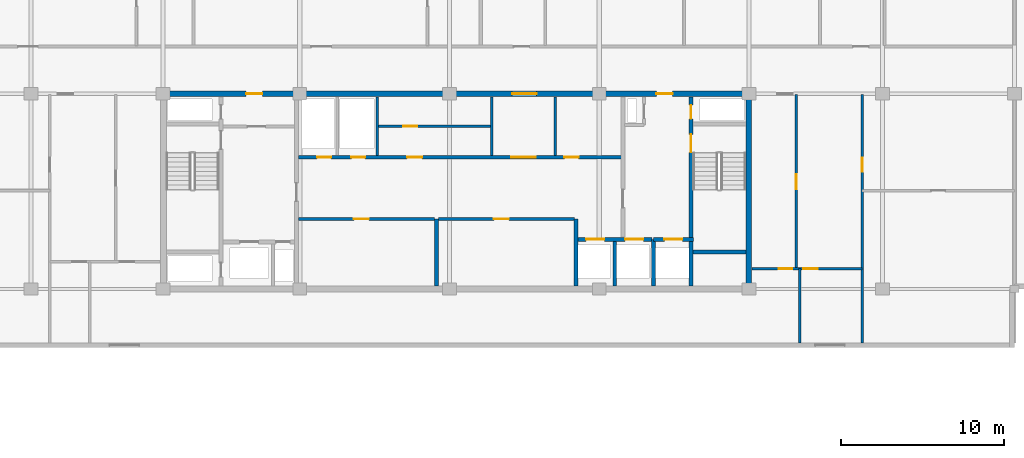
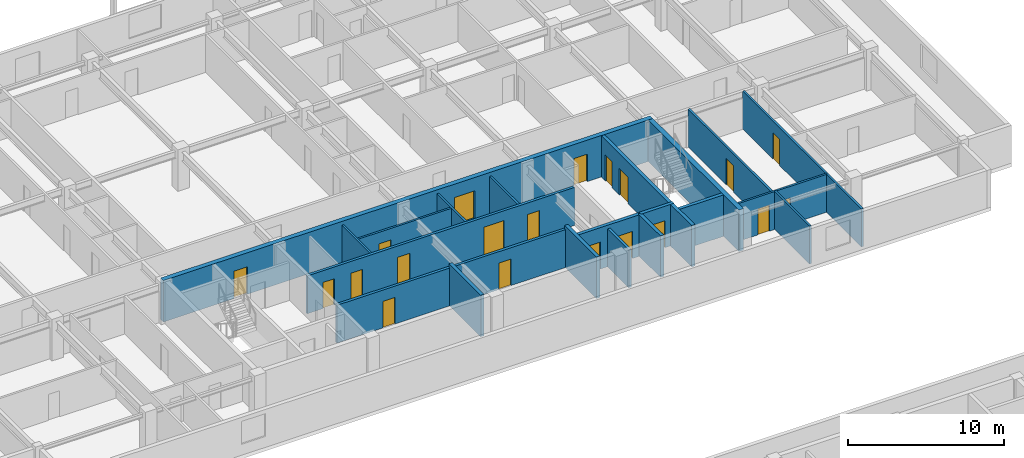
# One storey, part 12 of 22: 21 walls, 20 doors, 20 openings.
"""IFC4 building model written with IfcOpenShell, lengths in metres."""

from ifc_helpers import new_model, si_unit, direction, frame, frame_2d, origin, place, context, subcontext, project, spatial, rectangle, extrude, material, layer, layer_set, type_object, element, fill, save


model = new_model("IFC4")

# Units and contexts
model_context = context("Model", 3, precision=1e-05, world=origin(), true_north=direction((0.0, 1.0)))
body_context = subcontext(model_context, "Body", "Model", "MODEL_VIEW")
ifc_project = project(units=[si_unit("LENGTHUNIT", "METRE"), si_unit("AREAUNIT", "SQUARE_METRE"), si_unit("VOLUMEUNIT", "CUBIC_METRE"), si_unit("PLANEANGLEUNIT", "RADIAN"), si_unit("MASSUNIT", "GRAM", prefix="KILO")], contexts=[model_context])

# Site, building, storey
site_placement = place(None, origin())
site = spatial("IfcSite", under=ifc_project, at=site_placement, CompositionType="ELEMENT")
building_placement = place(site_placement, origin())
building = spatial("IfcBuilding", under=site, at=building_placement, Name="Korimba Cascade Residences", CompositionType="ELEMENT")
storey_placement = place(building_placement, frame((0.0, 0.0, 194.60009765625)))
storey = spatial("IfcBuildingStorey", under=building, at=storey_placement, Name="L56", CompositionType="ELEMENT", Elevation=194.60009765625)

# Wall
ifc_material_1 = material(Name="Concrete C65/80", Category="concrete")
ifc_layer_1 = layer(ifc_material_1, 0.35009765625)
ifc_layer_set_1 = layer_set([ifc_layer_1], Name="Concrete C65/80")
wall_type_1 = type_object("IfcWallType", Name="WAL-CORE-350", PredefinedType="SHEAR", material=ifc_layer_set_1)
wall_1_placement = place(storey_placement, frame((112.074951171875, 55.375, 0.0), z_axis=(0.0, 0.0, 1.0), x_axis=(0.0, 1.0, 0.0)))
element("IfcWall", 1, at=wall_1_placement, inside=storey, type_object=wall_type_1, Name="L56 Core Shear Wall CW-L56-T1-E", PredefinedType="SHEAR", context=body_context, shape_type="SweptSolid", body=[
    extrude(rectangle(XDim=11.64990234375, YDim=0.35009765625, at=frame_2d((5.824951171875, 0.0))), origin(), (0.0, 0.0, 1.0), 3.25),
])

# Wall, openings, doors
wall_2_placement = place(storey_placement, frame((75.949951171875, 67.199951171875, 0.0), z_axis=(0.0, 0.0, 1.0), x_axis=(1.0, 0.0, 0.0)))
wall_2 = element("IfcWall", 2, at=wall_2_placement, inside=storey, type_object=wall_type_1, Name="L56 Core Shear Wall CW-L56-T1-N", PredefinedType="SHEAR", context=body_context, shape_type="SweptSolid", body=[
    extrude(rectangle(XDim=36.300048828125, YDim=0.35009765625, at=frame_2d((18.14990234375, 0.0))), origin(), (0.0, 0.0, 1.0), 3.25),
])
opening_1_placement = place(wall_2_placement, frame((5.25, 0.0, 0.0)))
opening_1 = element("IfcOpeningElement", 3, at=opening_1_placement, cuts=wall_2, Name="Opening D-FD5", PredefinedType="OPENING", context=body_context, shape_type="SweptSolid", body=[
    extrude(rectangle(XDim=1.0, YDim=2.14990234375, at=frame_2d((0.5, 1.074951171875))), frame((0.0, 0.18505859375, 0.0), z_axis=(0.0, -1.0, 0.0), x_axis=(1.0, 0.0, 0.0)), (0.0, 0.0, 1.0), 0.3701171875),
])
opening_2_placement = place(wall_2_placement, frame((21.60009765625, 0.0, 0.0)))
opening_2 = element("IfcOpeningElement", 4, at=opening_2_placement, cuts=wall_2, Name="Opening D-FD8", PredefinedType="OPENING", context=body_context, shape_type="SweptSolid", body=[
    extrude(rectangle(XDim=1.5, YDim=2.199951171875, at=frame_2d((0.75, 1.10009765625))), frame((0.0, 0.18505859375, 0.0), z_axis=(0.0, -1.0, 0.0), x_axis=(1.0, 0.0, 0.0)), (0.0, 0.0, 1.0), 0.3701171875),
])
opening_3_placement = place(wall_2_placement, frame((30.449951171875, 0.0, 0.0)))
opening_3 = element("IfcOpeningElement", 5, at=opening_3_placement, cuts=wall_2, Name="Opening D-FD5", PredefinedType="OPENING", context=body_context, shape_type="SweptSolid", body=[
    extrude(rectangle(XDim=1.0, YDim=2.14990234375, at=frame_2d((0.5, 1.074951171875))), frame((0.0, 0.18505859375, 0.0), z_axis=(0.0, -1.0, 0.0), x_axis=(1.0, 0.0, 0.0)), (0.0, 0.0, 1.0), 0.3701171875),
])
ifc_material_2 = material(Name="Fire-Rated Acoustic Timber Vestibule Door", Category="wood")
door_type_1 = type_object("IfcDoorType", Name="DR-FD90-1000", OperationType="NOTDEFINED", PredefinedType="DOOR", material=ifc_material_2)
door_1_placement = place(opening_1_placement, origin())
door_1 = element("IfcDoor", 6, at=door_1_placement, inside=storey, type_object=door_type_1, Name="L56 T1 West Core Vestibule Fire Door", OperationType="SINGLE_SWING_LEFT", OverallHeight=2.14990234375, OverallWidth=1.0, PredefinedType="DOOR", context=body_context, shape_type="SweptSolid", body=[
    extrude(rectangle(XDim=1.0, YDim=2.14990234375, at=frame_2d((0.5, 1.074951171875))), frame((0.0, 0.02490234375, 0.0), z_axis=(0.0, -1.0, 0.0), x_axis=(1.0, 0.0, 0.0)), (0.0, 0.0, 1.0), 0.050048828125),
])
fill(opening_1, door_1)
door_2_placement = place(opening_3_placement, origin())
door_2 = element("IfcDoor", 7, at=door_2_placement, inside=storey, type_object=door_type_1, Name="L56 T1 East Firefighting Vestibule Fire Door", OperationType="SINGLE_SWING_RIGHT", OverallHeight=2.14990234375, OverallWidth=1.0, PredefinedType="DOOR", context=body_context, shape_type="SweptSolid", body=[
    extrude(rectangle(XDim=1.0, YDim=2.14990234375, at=frame_2d((0.5, 1.074951171875))), frame((0.0, 0.02490234375, 0.0), z_axis=(0.0, -1.0, 0.0), x_axis=(1.0, 0.0, 0.0)), (0.0, 0.0, 1.0), 0.050048828125),
])
fill(opening_3, door_2)
ifc_material_3 = material(Name="Fire-Rated Glazed Lift Lobby Double Door", Category="glass")
door_type_2 = type_object("IfcDoorType", Name="DR-FD90-1500", OperationType="NOTDEFINED", PredefinedType="DOOR", material=ifc_material_3)
door_3_placement = place(opening_2_placement, origin())
door_3 = element("IfcDoor", 8, at=door_3_placement, inside=storey, type_object=door_type_2, Name="L56 T1 Lift Lobby Fire Door", OperationType="DOUBLE_DOOR_SINGLE_SWING", OverallHeight=2.199951171875, OverallWidth=1.5, PredefinedType="DOOR", context=body_context, shape_type="SweptSolid", body=[
    extrude(rectangle(XDim=1.5, YDim=2.199951171875, at=frame_2d((0.75, 1.10009765625))), frame((0.0, 0.02490234375, 0.0), z_axis=(0.0, -1.0, 0.0), x_axis=(1.0, 0.0, 0.0)), (0.0, 0.0, 1.0), 0.050048828125),
])
fill(opening_2, door_3)

# Wall
ifc_material_4 = material(Name="Insulated Acoustic Stud Partition", Category="gypsum")
ifc_layer_2 = layer(ifc_material_4, 0.14990234375)
ifc_layer_set_2 = layer_set([ifc_layer_2], Name="Insulated Acoustic Stud Partition")
wall_type_2 = type_object("IfcWallType", Name="WAL-PART-150", PredefinedType="PARTITIONING", material=ifc_layer_set_2)
wall_3_placement = place(storey_placement, frame((89.25, 63.39990234375, 0.0), z_axis=(0.0, 0.0, 1.0), x_axis=(0.0, 1.0, 0.0)))
element("IfcWall", 9, at=wall_3_placement, inside=storey, type_object=wall_type_2, Name="L56 Partition Wall CW-L56-T1-PRDIV", PredefinedType="PARTITIONING", context=body_context, shape_type="SweptSolid", body=[
    extrude(rectangle(XDim=3.60009765625, YDim=0.14990234375, at=frame_2d((1.800048828125, 0.0))), origin(), (0.0, 0.0, 1.0), 2.969970703125),
])

# Wall, opening, door
wall_4_placement = place(storey_placement, frame((89.25, 65.199951171875, 0.0), z_axis=(0.0, 0.0, 1.0), x_axis=(1.0, 0.0, 0.0)))
wall_4 = element("IfcWall", 10, at=wall_4_placement, inside=storey, type_object=wall_type_2, Name="L56 Partition Wall CW-L56-T1-CA2HZ", PredefinedType="PARTITIONING", context=body_context, shape_type="SweptSolid", body=[
    extrude(rectangle(XDim=7.050048828125, YDim=0.14990234375, at=frame_2d((3.52490234375, 0.0))), origin(), (0.0, 0.0, 1.0), 2.969970703125),
])
opening_4_placement = place(wall_4_placement, frame((1.60009765625, 0.0, 0.0)))
opening_4 = element("IfcOpeningElement", 11, at=opening_4_placement, cuts=wall_4, Name="Opening D-IN2", PredefinedType="OPENING", context=body_context, shape_type="SweptSolid", body=[
    extrude(rectangle(XDim=0.8798828125, YDim=2.06005859375, at=frame_2d((0.43994140625, 1.030029296875))), frame((0.0, 0.0849609375, 0.0), z_axis=(0.0, -1.0, 0.0), x_axis=(1.0, 0.0, 0.0)), (0.0, 0.0, 1.0), 0.169921875),
])
ifc_material_5 = material(Name="Acoustic Timber Bedroom Door", Category="wood")
door_type_3 = type_object("IfcDoorType", Name="DR-INT-880", OperationType="NOTDEFINED", PredefinedType="DOOR", material=ifc_material_5)
door_4_placement = place(opening_4_placement, origin())
door_4 = element("IfcDoor", 12, at=door_4_placement, inside=storey, type_object=door_type_3, Name="L56 Pram Store Door", OperationType="SINGLE_SWING_LEFT", OverallHeight=2.06005859375, OverallWidth=0.8798828125, PredefinedType="DOOR", context=body_context, shape_type="SweptSolid", body=[
    extrude(rectangle(XDim=0.8798828125, YDim=2.06005859375, at=frame_2d((0.43994140625, 1.030029296875))), frame((0.0, 0.02490234375, 0.0), z_axis=(0.0, -1.0, 0.0), x_axis=(1.0, 0.0, 0.0)), (0.0, 0.0, 1.0), 0.050048828125),
])
fill(opening_4, door_4)

# Walls
for number, where, z_axis, x_axis, name in (
    (13, (96.300048828125, 63.39990234375, 0.0), (0.0, 0.0, 1.0), (0.0, 1.0, 0.0), "L56 Partition Wall CW-L56-T1-THW"),
    (14, (100.199951171875, 63.39990234375, 0.0), (0.0, 0.0, 1.0), (0.0, 1.0, 0.0), "L56 Partition Wall CW-L56-T1-THE"),
):
    element("IfcWall", number, at=place(storey_placement, frame(where, z_axis=z_axis, x_axis=x_axis)), inside=storey, type_object=wall_type_2, Name=name, PredefinedType="PARTITIONING", context=body_context, shape_type="SweptSolid", body=[
        extrude(rectangle(XDim=3.60009765625, YDim=0.14990234375, at=frame_2d((1.800048828125, 0.0))), origin(), (0.0, 0.0, 1.0), 2.969970703125),
    ])

# Wall, opening, door
wall_5_placement = place(storey_placement, frame((119.050048828125, 51.89990234375, 0.0), z_axis=(0.0, 0.0, 1.0), x_axis=(0.0, 1.0, 0.0)))
wall_5 = element("IfcWall", 15, at=wall_5_placement, inside=storey, type_object=wall_type_2, Name="L56 Partition Wall WAL-L56-T1-FE-STV", PredefinedType="PARTITIONING", context=body_context, shape_type="SweptSolid", body=[
    extrude(rectangle(XDim=15.25, YDim=0.14990234375, at=frame_2d((7.625, 0.0))), origin(), (0.0, 0.0, 1.0), 2.969970703125),
])
opening_5_placement = place(wall_5_placement, frame((10.5, 0.0, 0.0)))
opening_5 = element("IfcOpeningElement", 16, at=opening_5_placement, cuts=wall_5, Name="Opening D-IN2", PredefinedType="OPENING", context=body_context, shape_type="SweptSolid", body=[
    extrude(rectangle(XDim=0.8798828125, YDim=2.06005859375, at=frame_2d((0.43994140625, 1.030029296875))), frame((0.0, 0.0849609375, 0.0), z_axis=(0.0, -1.0, 0.0), x_axis=(1.0, 0.0, 0.0)), (0.0, 0.0, 1.0), 0.169921875),
])
door_5_placement = place(opening_5_placement, origin())
door_5 = element("IfcDoor", 17, at=door_5_placement, inside=storey, type_object=door_type_3, Name="L56-T1-FE Study Door", OperationType="SINGLE_SWING_LEFT", OverallHeight=2.06005859375, OverallWidth=0.8798828125, PredefinedType="DOOR", context=body_context, shape_type="SweptSolid", body=[
    extrude(rectangle(XDim=0.8798828125, YDim=2.06005859375, at=frame_2d((0.43994140625, 1.030029296875))), frame((0.0, 0.02490234375, 0.0), z_axis=(0.0, -1.0, 0.0), x_axis=(1.0, 0.0, 0.0)), (0.0, 0.0, 1.0), 0.050048828125),
])
fill(opening_5, door_5)

wall_6_placement = place(storey_placement, frame((115.0, 56.449951171875, 0.0), z_axis=(0.0, 0.0, 1.0), x_axis=(0.0, 1.0, 0.0)))
wall_6 = element("IfcWall", 18, at=wall_6_placement, inside=storey, type_object=wall_type_2, Name="L56 Partition Wall WAL-L56-T1-FE-VN", PredefinedType="PARTITIONING", context=body_context, shape_type="SweptSolid", body=[
    extrude(rectangle(XDim=10.699951171875, YDim=0.14990234375, at=frame_2d((5.35009765625, 0.0))), origin(), (0.0, 0.0, 1.0), 2.969970703125),
])
opening_6_placement = place(wall_6_placement, frame((4.889892578125, 0.0, 0.0)))
opening_6 = element("IfcOpeningElement", 19, at=opening_6_placement, cuts=wall_6, Name="Opening D-IN1", PredefinedType="OPENING", context=body_context, shape_type="SweptSolid", body=[
    extrude(rectangle(XDim=0.919921875, YDim=2.080078125, at=frame_2d((0.4599609375, 1.0400390625))), frame((0.0, 0.0849609375, 0.0), z_axis=(0.0, -1.0, 0.0), x_axis=(1.0, 0.0, 0.0)), (0.0, 0.0, 1.0), 0.169921875),
])
ifc_material_6 = material(Name="Acoustic Timber Living Door", Category="wood")
door_type_4 = type_object("IfcDoorType", Name="DR-INT-920", OperationType="NOTDEFINED", PredefinedType="DOOR", material=ifc_material_6)
door_6_placement = place(opening_6_placement, origin())
door_6 = element("IfcDoor", 20, at=door_6_placement, inside=storey, type_object=door_type_4, Name="L56-T1-FE Living Door", OperationType="SINGLE_SWING_RIGHT", OverallHeight=2.080078125, OverallWidth=0.919921875, PredefinedType="DOOR", context=body_context, shape_type="SweptSolid", body=[
    extrude(rectangle(XDim=0.919921875, YDim=2.080078125, at=frame_2d((0.4599609375, 1.0400390625))), frame((0.0, 0.02490234375, 0.0), z_axis=(0.0, -1.0, 0.0), x_axis=(1.0, 0.0, 0.0)), (0.0, 0.0, 1.0), 0.050048828125),
])
fill(opening_6, door_6)

# Wall
wall_7_placement = place(storey_placement, frame((115.199951171875, 51.89990234375, 0.0), z_axis=(0.0, 0.0, 1.0), x_axis=(0.0, 1.0, 0.0)))
element("IfcWall", 21, at=wall_7_placement, inside=storey, type_object=wall_type_2, Name="L56 Partition Wall WAL-L56-T1-FE-VS", PredefinedType="PARTITIONING", context=body_context, shape_type="SweptSolid", body=[
    extrude(rectangle(XDim=4.550048828125, YDim=0.14990234375, at=frame_2d((2.27490234375, 0.0))), origin(), (0.0, 0.0, 1.0), 2.969970703125),
])

# Wall, openings, doors
wall_8_placement = place(storey_placement, frame((112.27001953125, 56.449951171875, 0.0), z_axis=(0.0, 0.0, 1.0), x_axis=(1.0, 0.0, 0.0)))
wall_8 = element("IfcWall", 22, at=wall_8_placement, inside=storey, type_object=wall_type_2, Name="L56 Partition Wall WAL-L56-T1-FE-H", PredefinedType="PARTITIONING", context=body_context, shape_type="SweptSolid", body=[
    extrude(rectangle(XDim=6.760009765625, YDim=0.14990234375, at=frame_2d((3.3798828125, 0.0))), origin(), (0.0, 0.0, 1.0), 2.969970703125),
])
opening_7_placement = place(wall_8_placement, frame((1.6396484375, 0.0, 0.0)))
opening_7 = element("IfcOpeningElement", 23, at=opening_7_placement, cuts=wall_8, Name="Opening D-BT1", PredefinedType="OPENING", context=body_context, shape_type="SweptSolid", body=[
    extrude(rectangle(XDim=0.840087890625, YDim=2.0400390625, at=frame_2d((0.419921875, 1.02001953125))), frame((0.0, 0.0849609375, 0.0), z_axis=(0.0, -1.0, 0.0), x_axis=(1.0, 0.0, 0.0)), (0.0, 0.0, 1.0), 0.169921875),
])
opening_8_placement = place(wall_8_placement, frame((3.160400390625, 0.0, 0.0)))
opening_8 = element("IfcOpeningElement", 24, at=opening_8_placement, cuts=wall_8, Name="Opening D-IN2", PredefinedType="OPENING", context=body_context, shape_type="SweptSolid", body=[
    extrude(rectangle(XDim=0.8798828125, YDim=2.06005859375, at=frame_2d((0.43994140625, 1.030029296875))), frame((0.0, 0.0849609375, 0.0), z_axis=(0.0, -1.0, 0.0), x_axis=(1.0, 0.0, 0.0)), (0.0, 0.0, 1.0), 0.169921875),
])
ifc_material_7 = material(Name="Moisture-Resistant Bathroom Timber Door", Category="wood")
door_type_5 = type_object("IfcDoorType", Name="DR-INT-850", OperationType="NOTDEFINED", PredefinedType="DOOR", material=ifc_material_7)
door_7_placement = place(opening_7_placement, origin())
door_7 = element("IfcDoor", 25, at=door_7_placement, inside=storey, type_object=door_type_5, Name="L56-T1-FE Bathroom Door", OperationType="SINGLE_SWING_LEFT", OverallHeight=2.0400390625, OverallWidth=0.840087890625, PredefinedType="DOOR", context=body_context, shape_type="SweptSolid", body=[
    extrude(rectangle(XDim=0.840087890625, YDim=2.0400390625, at=frame_2d((0.419921875, 1.02001953125))), frame((0.0, 0.02490234375, 0.0), z_axis=(0.0, -1.0, 0.0), x_axis=(1.0, 0.0, 0.0)), (0.0, 0.0, 1.0), 0.050048828125),
])
fill(opening_7, door_7)
door_8_placement = place(opening_8_placement, origin())
door_8 = element("IfcDoor", 26, at=door_8_placement, inside=storey, type_object=door_type_3, Name="L56-T1-FE Bedroom Door", OperationType="SINGLE_SWING_RIGHT", OverallHeight=2.06005859375, OverallWidth=0.8798828125, PredefinedType="DOOR", context=body_context, shape_type="SweptSolid", body=[
    extrude(rectangle(XDim=0.8798828125, YDim=2.06005859375, at=frame_2d((0.43994140625, 1.030029296875))), frame((0.0, 0.02490234375, 0.0), z_axis=(0.0, -1.0, 0.0), x_axis=(1.0, 0.0, 0.0)), (0.0, 0.0, 1.0), 0.050048828125),
])
fill(opening_8, door_8)

# Wall, opening, door
ifc_material_8 = material(Name="Concrete C40/50", Category="concrete")
ifc_layer_3 = layer(ifc_material_8, 0.199951171875)
ifc_layer_set_3 = layer_set([ifc_layer_3], Name="Concrete C40/50")
wall_type_3 = type_object("IfcWallType", Name="WAL-PART-200", PredefinedType="PARTITIONING", material=ifc_layer_set_3)
wall_9_placement = place(storey_placement, frame((84.419921875, 59.5, 0.0), z_axis=(0.0, 0.0, 1.0), x_axis=(1.0, 0.0, 0.0)))
wall_9 = element("IfcWall", 27, at=wall_9_placement, inside=storey, type_object=wall_type_3, Name="L56 Partition Wall CW-L56-T1-B1RN", PredefinedType="PARTITIONING", context=body_context, shape_type="SweptSolid", body=[
    extrude(rectangle(XDim=8.360107421875, YDim=0.199951171875, at=frame_2d((4.18017578125, 0.0))), origin(), (0.0, 0.0, 1.0), 2.969970703125),
])
opening_9_placement = place(wall_9_placement, frame((3.39990234375, 0.0, 0.0)))
opening_9 = element("IfcOpeningElement", 28, at=opening_9_placement, cuts=wall_9, Name="Opening D-ST1", PredefinedType="OPENING", context=body_context, shape_type="SweptSolid", body=[
    extrude(rectangle(XDim=0.919921875, YDim=2.080078125, at=frame_2d((0.4599609375, 1.0400390625))), frame((0.0, 0.10986328125, 0.0), z_axis=(0.0, -1.0, 0.0), x_axis=(1.0, 0.0, 0.0)), (0.0, 0.0, 1.0), 0.219970703125),
])
ifc_material_9 = material(Name="Fire-Rated Core Store Door", Category="wood")
door_type_6 = type_object("IfcDoorType", Name="DR-FD60-920", OperationType="NOTDEFINED", PredefinedType="DOOR", material=ifc_material_9)
door_9_placement = place(opening_9_placement, origin())
door_9 = element("IfcDoor", 29, at=door_9_placement, inside=storey, type_object=door_type_6, Name="L56 Resident Storage Door", OperationType="SINGLE_SWING_LEFT", OverallHeight=2.080078125, OverallWidth=0.919921875, PredefinedType="DOOR", context=body_context, shape_type="SweptSolid", body=[
    extrude(rectangle(XDim=0.919921875, YDim=2.080078125, at=frame_2d((0.4599609375, 1.0400390625))), frame((0.0, 0.02490234375, 0.0), z_axis=(0.0, -1.0, 0.0), x_axis=(1.0, 0.0, 0.0)), (0.0, 0.0, 1.0), 0.050048828125),
])
fill(opening_9, door_9)

wall_10_placement = place(storey_placement, frame((93.02001953125, 59.5, 0.0), z_axis=(0.0, 0.0, 1.0), x_axis=(1.0, 0.0, 0.0)))
wall_10 = element("IfcWall", 30, at=wall_10_placement, inside=storey, type_object=wall_type_3, Name="L56 Partition Wall CW-L56-T1-B2RN", PredefinedType="PARTITIONING", context=body_context, shape_type="SweptSolid", body=[
    extrude(rectangle(XDim=8.35986328125, YDim=0.199951171875, at=frame_2d((4.179931640625, 0.0))), origin(), (0.0, 0.0, 1.0), 2.969970703125),
])
opening_10_placement = place(wall_10_placement, frame((3.39990234375, 0.0, 0.0)))
opening_10 = element("IfcOpeningElement", 31, at=opening_10_placement, cuts=wall_10, Name="Opening D-ST1", PredefinedType="OPENING", context=body_context, shape_type="SweptSolid", body=[
    extrude(rectangle(XDim=0.919921875, YDim=2.080078125, at=frame_2d((0.4599609375, 1.0400390625))), frame((0.0, 0.10986328125, 0.0), z_axis=(0.0, -1.0, 0.0), x_axis=(1.0, 0.0, 0.0)), (0.0, 0.0, 1.0), 0.219970703125),
])
door_10_placement = place(opening_10_placement, origin())
door_10 = element("IfcDoor", 32, at=door_10_placement, inside=storey, type_object=door_type_6, Name="L56 Wine Cellar Store Door", OperationType="SINGLE_SWING_RIGHT", OverallHeight=2.080078125, OverallWidth=0.919921875, PredefinedType="DOOR", context=body_context, shape_type="SweptSolid", body=[
    extrude(rectangle(XDim=0.919921875, YDim=2.080078125, at=frame_2d((0.4599609375, 1.0400390625))), frame((0.0, 0.02490234375, 0.0), z_axis=(0.0, -1.0, 0.0), x_axis=(1.0, 0.0, 0.0)), (0.0, 0.0, 1.0), 0.050048828125),
])
fill(opening_10, door_10)

# Wall
wall_11_placement = place(storey_placement, frame((103.85009765625, 55.39990234375, 0.0), z_axis=(0.0, 0.0, 1.0), x_axis=(0.0, 1.0, 0.0)))
element("IfcWall", 33, at=wall_11_placement, inside=storey, type_object=wall_type_3, Name="L56 Partition Wall CW-L56-T1-B3D1", PredefinedType="PARTITIONING", context=body_context, shape_type="SweptSolid", body=[
    extrude(rectangle(XDim=2.72021484375, YDim=0.199951171875, at=frame_2d((1.360107421875, 0.0))), origin(), (0.0, 0.0, 1.0), 2.969970703125),
])

# Wall, openings, doors
wall_12_placement = place(storey_placement, frame((84.419921875, 63.300048828125, 0.0), z_axis=(0.0, 0.0, 1.0), x_axis=(1.0, 0.0, 0.0)))
wall_12 = element("IfcWall", 34, at=wall_12_placement, inside=storey, type_object=wall_type_3, Name="L56 Partition Wall CW-L56-T1-SRVROW", PredefinedType="PARTITIONING", context=body_context, shape_type="SweptSolid", body=[
    extrude(rectangle(XDim=19.830078125, YDim=0.199951171875, at=frame_2d((9.9150390625, 0.0))), origin(), (0.0, 0.0, 1.0), 2.969970703125),
])
opening_11_placement = place(wall_12_placement, frame((1.14990234375, 0.0, 0.0)))
opening_11 = element("IfcOpeningElement", 35, at=opening_11_placement, cuts=wall_12, Name="Opening D-RS1", PredefinedType="OPENING", context=body_context, shape_type="SweptSolid", body=[
    extrude(rectangle(XDim=0.85009765625, YDim=2.050048828125, at=frame_2d((0.425048828125, 1.02490234375))), frame((0.0, 0.10986328125, 0.0), z_axis=(0.0, -1.0, 0.0), x_axis=(1.0, 0.0, 0.0)), (0.0, 0.0, 1.0), 0.219970703125),
])
opening_12_placement = place(wall_12_placement, frame((3.25, 0.0, 0.0)))
opening_12 = element("IfcOpeningElement", 36, at=opening_12_placement, cuts=wall_12, Name="Opening D-RS1", PredefinedType="OPENING", context=body_context, shape_type="SweptSolid", body=[
    extrude(rectangle(XDim=0.85009765625, YDim=2.050048828125, at=frame_2d((0.425048828125, 1.02490234375))), frame((0.0, 0.10986328125, 0.0), z_axis=(0.0, -1.0, 0.0), x_axis=(1.0, 0.0, 0.0)), (0.0, 0.0, 1.0), 0.219970703125),
])
opening_13_placement = place(wall_12_placement, frame((13.080078125, 0.0, 0.0)))
opening_13 = element("IfcOpeningElement", 37, at=opening_13_placement, cuts=wall_12, Name="Opening D-FD8", PredefinedType="OPENING", context=body_context, shape_type="SweptSolid", body=[
    extrude(rectangle(XDim=1.5, YDim=2.199951171875, at=frame_2d((0.75, 1.10009765625))), frame((0.0, 0.10986328125, 0.0), z_axis=(0.0, -1.0, 0.0), x_axis=(1.0, 0.0, 0.0)), (0.0, 0.0, 1.0), 0.219970703125),
])
opening_14_placement = place(wall_12_placement, frame((6.679931640625, 0.0, 0.0)))
opening_14 = element("IfcOpeningElement", 38, at=opening_14_placement, cuts=wall_12, Name="Opening D-IN1", PredefinedType="OPENING", context=body_context, shape_type="SweptSolid", body=[
    extrude(rectangle(XDim=0.919921875, YDim=2.080078125, at=frame_2d((0.4599609375, 1.0400390625))), frame((0.0, 0.10986328125, 0.0), z_axis=(0.0, -1.0, 0.0), x_axis=(1.0, 0.0, 0.0)), (0.0, 0.0, 1.0), 0.219970703125),
])
opening_15_placement = place(wall_12_placement, frame((16.330078125, 0.0, 0.0)))
opening_15 = element("IfcOpeningElement", 39, at=opening_15_placement, cuts=wall_12, Name="Opening D-IN2", PredefinedType="OPENING", context=body_context, shape_type="SweptSolid", body=[
    extrude(rectangle(XDim=0.8798828125, YDim=2.06005859375, at=frame_2d((0.43994140625, 1.030029296875))), frame((0.0, 0.10986328125, 0.0), z_axis=(0.0, -1.0, 0.0), x_axis=(1.0, 0.0, 0.0)), (0.0, 0.0, 1.0), 0.219970703125),
])
ifc_material_10 = material(Name="Fire-Rated Steel Riser Access Door", Category="steel")
door_type_7 = type_object("IfcDoorType", Name="DR-FD60-850", OperationType="NOTDEFINED", PredefinedType="DOOR", material=ifc_material_10)
door_11_placement = place(opening_11_placement, origin())
door_11 = element("IfcDoor", 40, at=door_11_placement, inside=storey, type_object=door_type_7, Name="L56 Electrical Riser Door", OperationType="SINGLE_SWING_RIGHT", OverallHeight=2.050048828125, OverallWidth=0.85009765625, PredefinedType="DOOR", context=body_context, shape_type="SweptSolid", body=[
    extrude(rectangle(XDim=0.85009765625, YDim=2.050048828125, at=frame_2d((0.425048828125, 1.02490234375))), frame((0.0, 0.02490234375, 0.0), z_axis=(0.0, -1.0, 0.0), x_axis=(1.0, 0.0, 0.0)), (0.0, 0.0, 1.0), 0.050048828125),
])
fill(opening_11, door_11)
door_12_placement = place(opening_12_placement, origin())
door_12 = element("IfcDoor", 41, at=door_12_placement, inside=storey, type_object=door_type_7, Name="L56 Plumbing Riser Door", OperationType="SINGLE_SWING_LEFT", OverallHeight=2.050048828125, OverallWidth=0.85009765625, PredefinedType="DOOR", context=body_context, shape_type="SweptSolid", body=[
    extrude(rectangle(XDim=0.85009765625, YDim=2.050048828125, at=frame_2d((0.425048828125, 1.02490234375))), frame((0.0, 0.02490234375, 0.0), z_axis=(0.0, -1.0, 0.0), x_axis=(1.0, 0.0, 0.0)), (0.0, 0.0, 1.0), 0.050048828125),
])
fill(opening_12, door_12)
door_13_placement = place(opening_13_placement, origin())
door_13 = element("IfcDoor", 42, at=door_13_placement, inside=storey, type_object=door_type_2, Name="L56 Lift Lobby Foyer Archway Door", OperationType="DOUBLE_DOOR_SINGLE_SWING", OverallHeight=2.199951171875, OverallWidth=1.5, PredefinedType="DOOR", context=body_context, shape_type="SweptSolid", body=[
    extrude(rectangle(XDim=1.5, YDim=2.199951171875, at=frame_2d((0.75, 1.10009765625))), frame((0.0, 0.02490234375, 0.0), z_axis=(0.0, -1.0, 0.0), x_axis=(1.0, 0.0, 0.0)), (0.0, 0.0, 1.0), 0.050048828125),
])
fill(opening_13, door_13)
door_14_placement = place(opening_15_placement, origin())
door_14 = element("IfcDoor", 43, at=door_14_placement, inside=storey, type_object=door_type_3, Name="L56 Staff WC Door", OperationType="SINGLE_SWING_LEFT", OverallHeight=2.06005859375, OverallWidth=0.8798828125, PredefinedType="DOOR", context=body_context, shape_type="SweptSolid", body=[
    extrude(rectangle(XDim=0.8798828125, YDim=2.06005859375, at=frame_2d((0.43994140625, 1.030029296875))), frame((0.0, 0.02490234375, 0.0), z_axis=(0.0, -1.0, 0.0), x_axis=(1.0, 0.0, 0.0)), (0.0, 0.0, 1.0), 0.050048828125),
])
fill(opening_15, door_14)
door_15_placement = place(opening_14_placement, origin())
door_15 = element("IfcDoor", 44, at=door_15_placement, inside=storey, type_object=door_type_4, Name="L56 Locker Room Door", OperationType="SINGLE_SWING_RIGHT", OverallHeight=2.080078125, OverallWidth=0.919921875, PredefinedType="DOOR", context=body_context, shape_type="SweptSolid", body=[
    extrude(rectangle(XDim=0.919921875, YDim=2.080078125, at=frame_2d((0.4599609375, 1.0400390625))), frame((0.0, 0.02490234375, 0.0), z_axis=(0.0, -1.0, 0.0), x_axis=(1.0, 0.0, 0.0)), (0.0, 0.0, 1.0), 0.050048828125),
])
fill(opening_14, door_15)

# Walls
ifc_material_11 = material(Name="Concrete C50/60", Category="concrete")
ifc_layer_4 = layer(ifc_material_11, 0.25)
ifc_layer_set_4 = layer_set([ifc_layer_4], Name="Concrete C50/60")
wall_type_4 = type_object("IfcWallType", Name="WAL-SHAFT-250", PredefinedType="SHEAR", material=ifc_layer_set_4)
for number, where, z_axis, x_axis, name in (
    (45, (92.89990234375, 55.39990234375, 0.0), (0.0, 0.0, 1.0), (0.0, 1.0, 0.0), "L56 Core Shear Wall CW-L56-T1-B12DIV"),
    (46, (101.47998046875, 55.39990234375, 0.0), (0.0, 0.0, 1.0), (0.0, 1.0, 0.0), "L56 Core Shear Wall CW-L56-T1-B23DIV"),
):
    element("IfcWall", number, at=place(storey_placement, frame(where, z_axis=z_axis, x_axis=x_axis)), inside=storey, type_object=wall_type_4, Name=name, PredefinedType="SHEAR", context=body_context, shape_type="SweptSolid", body=[
        extrude(rectangle(XDim=4.10009765625, YDim=0.25, at=frame_2d((2.050048828125, 0.0))), origin(), (0.0, 0.0, 1.0), 3.25),
    ])

# Wall, openings, doors
wall_13_placement = place(storey_placement, frame((101.550048828125, 58.25, 0.0), z_axis=(0.0, 0.0, 1.0), x_axis=(1.0, 0.0, 0.0)))
wall_13 = element("IfcWall", 47, at=wall_13_placement, inside=storey, type_object=wall_type_4, Name="L56 Core Shear Wall CW-L56-T1-B3N", PredefinedType="SHEAR", context=body_context, shape_type="SweptSolid", body=[
    extrude(rectangle(XDim=4.599853515625, YDim=0.25, at=frame_2d((2.2998046875, 0.0))), origin(), (0.0, 0.0, 1.0), 3.25),
])
opening_16_placement = place(wall_13_placement, frame((0.5400390625, 0.0, 0.0)))
opening_16 = element("IfcOpeningElement", 48, at=opening_16_placement, cuts=wall_13, Name="Opening LD-01", PredefinedType="OPENING", context=body_context, shape_type="SweptSolid", body=[
    extrude(rectangle(XDim=1.1201171875, YDim=2.1201171875, at=frame_2d((0.56005859375, 1.06005859375))), frame((0.0, 0.135009765625, 0.0), z_axis=(0.0, -1.0, 0.0), x_axis=(1.0, 0.0, 0.0)), (0.0, 0.0, 1.0), 0.27001953125),
])
opening_17_placement = place(wall_13_placement, frame((2.93994140625, 0.0, 0.0)))
opening_17 = element("IfcOpeningElement", 49, at=opening_17_placement, cuts=wall_13, Name="Opening LD-01", PredefinedType="OPENING", context=body_context, shape_type="SweptSolid", body=[
    extrude(rectangle(XDim=1.1201171875, YDim=2.1201171875, at=frame_2d((0.56005859375, 1.06005859375))), frame((0.0, 0.135009765625, 0.0), z_axis=(0.0, -1.0, 0.0), x_axis=(1.0, 0.0, 0.0)), (0.0, 0.0, 1.0), 0.27001953125),
])
ifc_material_12 = material(Name="Stainless Steel Lift Landing Sliding Door", Category="steel")
door_type_8 = type_object("IfcDoorType", Name="DR-LIFT-1100", OperationType="NOTDEFINED", PredefinedType="DOOR", material=ifc_material_12)
door_16_placement = place(opening_16_placement, origin())
door_16 = element("IfcDoor", 50, at=door_16_placement, inside=storey, type_object=door_type_8, Name="L56 Lift Landing Door PL-W7", OperationType="SLIDING_TO_LEFT", OverallHeight=2.1201171875, OverallWidth=1.1201171875, PredefinedType="DOOR", context=body_context, shape_type="SweptSolid", body=[
    extrude(rectangle(XDim=1.1201171875, YDim=2.1201171875, at=frame_2d((0.56005859375, 1.06005859375))), frame((0.0, 0.02490234375, 0.0), z_axis=(0.0, -1.0, 0.0), x_axis=(1.0, 0.0, 0.0)), (0.0, 0.0, 1.0), 0.050048828125),
])
fill(opening_16, door_16)
door_17_placement = place(opening_17_placement, origin())
door_17 = element("IfcDoor", 51, at=door_17_placement, inside=storey, type_object=door_type_8, Name="L56 Lift Landing Door PL-W8", OperationType="SLIDING_TO_LEFT", OverallHeight=2.1201171875, OverallWidth=1.1201171875, PredefinedType="DOOR", context=body_context, shape_type="SweptSolid", body=[
    extrude(rectangle(XDim=1.1201171875, YDim=2.1201171875, at=frame_2d((0.56005859375, 1.06005859375))), frame((0.0, 0.02490234375, 0.0), z_axis=(0.0, -1.0, 0.0), x_axis=(1.0, 0.0, 0.0)), (0.0, 0.0, 1.0), 0.050048828125),
])
fill(opening_17, door_17)

# Wall
wall_14_placement = place(storey_placement, frame((106.219970703125, 55.39990234375, 0.0), z_axis=(0.0, 0.0, 1.0), x_axis=(0.0, 1.0, 0.0)))
element("IfcWall", 52, at=wall_14_placement, inside=storey, type_object=wall_type_4, Name="L56 Core Shear Wall CW-L56-T1-FF2W", PredefinedType="SHEAR", context=body_context, shape_type="SweptSolid", body=[
    extrude(rectangle(XDim=2.85009765625, YDim=0.25, at=frame_2d((1.425048828125, 0.0))), origin(), (0.0, 0.0, 1.0), 3.25),
])

# Wall, opening, door
wall_15_placement = place(storey_placement, frame((106.219970703125, 58.25, 0.0), z_axis=(0.0, 0.0, 1.0), x_axis=(1.0, 0.0, 0.0)))
wall_15 = element("IfcWall", 53, at=wall_15_placement, inside=storey, type_object=wall_type_4, Name="L56 Core Shear Wall CW-L56-T1-FF2N", PredefinedType="SHEAR", context=body_context, shape_type="SweptSolid", body=[
    extrude(rectangle(XDim=2.4599609375, YDim=0.25, at=frame_2d((1.22998046875, 0.0))), origin(), (0.0, 0.0, 1.0), 3.25),
])
opening_18_placement = place(wall_15_placement, frame((0.669921875, 0.0, 0.0)))
opening_18 = element("IfcOpeningElement", 54, at=opening_18_placement, cuts=wall_15, Name="Opening LD-01", PredefinedType="OPENING", context=body_context, shape_type="SweptSolid", body=[
    extrude(rectangle(XDim=1.1201171875, YDim=2.1201171875, at=frame_2d((0.56005859375, 1.06005859375))), frame((0.0, 0.135009765625, 0.0), z_axis=(0.0, -1.0, 0.0), x_axis=(1.0, 0.0, 0.0)), (0.0, 0.0, 1.0), 0.27001953125),
])
door_18_placement = place(opening_18_placement, origin())
door_18 = element("IfcDoor", 55, at=door_18_placement, inside=storey, type_object=door_type_8, Name="L56 Firefighting Lift Landing Door FFL-W2", OperationType="SLIDING_TO_RIGHT", OverallHeight=2.1201171875, OverallWidth=1.1201171875, PredefinedType="DOOR", context=body_context, shape_type="SweptSolid", body=[
    extrude(rectangle(XDim=1.1201171875, YDim=2.1201171875, at=frame_2d((0.56005859375, 1.06005859375))), frame((0.0, 0.02490234375, 0.0), z_axis=(0.0, -1.0, 0.0), x_axis=(1.0, 0.0, 0.0)), (0.0, 0.0, 1.0), 0.050048828125),
])
fill(opening_18, door_18)

# Wall, openings, doors
wall_16_placement = place(storey_placement, frame((108.534912109375, 55.39990234375, 0.0), z_axis=(0.0, 0.0, 1.0), x_axis=(0.0, 1.0, 0.0)))
wall_16 = element("IfcWall", 56, at=wall_16_placement, inside=storey, type_object=wall_type_4, Name="L56 Core Shear Wall CW-L56-T1-STW2W", PredefinedType="SHEAR", context=body_context, shape_type="SweptSolid", body=[
    extrude(rectangle(XDim=11.60009765625, YDim=0.25, at=frame_2d((5.800048828125, 0.0))), origin(), (0.0, 0.0, 1.0), 3.25),
])
opening_19_placement = place(wall_16_placement, frame((8.199951171875, 0.0, 0.0)))
opening_19 = element("IfcOpeningElement", 57, at=opening_19_placement, cuts=wall_16, Name="Opening D-FD1", PredefinedType="OPENING", context=body_context, shape_type="SweptSolid", body=[
    extrude(rectangle(XDim=1.10009765625, YDim=2.10009765625, at=frame_2d((0.550048828125, 1.050048828125))), frame((0.0, 0.135009765625, 0.0), z_axis=(0.0, -1.0, 0.0), x_axis=(1.0, 0.0, 0.0)), (0.0, 0.0, 1.0), 0.27001953125),
])
opening_20_placement = place(wall_16_placement, frame((10.25, 0.0, 0.0)))
opening_20 = element("IfcOpeningElement", 58, at=opening_20_placement, cuts=wall_16, Name="Opening D-RS1", PredefinedType="OPENING", context=body_context, shape_type="SweptSolid", body=[
    extrude(rectangle(XDim=0.85009765625, YDim=2.050048828125, at=frame_2d((0.425048828125, 1.02490234375))), frame((0.0, 0.135009765625, 0.0), z_axis=(0.0, -1.0, 0.0), x_axis=(1.0, 0.0, 0.0)), (0.0, 0.0, 1.0), 0.27001953125),
])
ifc_material_13 = material(Name="Fire-Rated Steel Core Door", Category="steel")
door_type_9 = type_object("IfcDoorType", Name="DR-FD120-1100", OperationType="NOTDEFINED", PredefinedType="DOOR", material=ifc_material_13)
door_19_placement = place(opening_19_placement, origin())
door_19 = element("IfcDoor", 59, at=door_19_placement, inside=storey, type_object=door_type_9, Name="L56 Fire Stair ST-W2 Door", OperationType="SINGLE_SWING_RIGHT", OverallHeight=2.10009765625, OverallWidth=1.10009765625, PredefinedType="DOOR", context=body_context, shape_type="SweptSolid", body=[
    extrude(rectangle(XDim=1.10009765625, YDim=2.10009765625, at=frame_2d((0.550048828125, 1.050048828125))), frame((0.0, 0.02490234375, 0.0), z_axis=(0.0, -1.0, 0.0), x_axis=(1.0, 0.0, 0.0)), (0.0, 0.0, 1.0), 0.050048828125),
])
fill(opening_19, door_19)
door_20_placement = place(opening_20_placement, origin())
door_20 = element("IfcDoor", 60, at=door_20_placement, inside=storey, type_object=door_type_7, Name="L56 East Riser Door", OperationType="SINGLE_SWING_LEFT", OverallHeight=2.050048828125, OverallWidth=0.85009765625, PredefinedType="DOOR", context=body_context, shape_type="SweptSolid", body=[
    extrude(rectangle(XDim=0.85009765625, YDim=2.050048828125, at=frame_2d((0.425048828125, 1.02490234375))), frame((0.0, 0.02490234375, 0.0), z_axis=(0.0, -1.0, 0.0), x_axis=(1.0, 0.0, 0.0)), (0.0, 0.0, 1.0), 0.050048828125),
])
fill(opening_20, door_20)

# Wall
wall_17_placement = place(storey_placement, frame((108.659912109375, 57.47509765625, 0.0), z_axis=(0.0, 0.0, 1.0), x_axis=(1.0, 0.0, 0.0)))
element("IfcWall", 61, at=wall_17_placement, inside=storey, type_object=wall_type_4, Name="L56 Core Shear Wall CW-L56-T1-STW2S", PredefinedType="SHEAR", context=body_context, shape_type="SweptSolid", body=[
    extrude(rectangle(XDim=3.239990234375, YDim=0.25, at=frame_2d((1.6201171875, 0.0))), origin(), (0.0, 0.0, 1.0), 3.25),
])

save(model, "model.ifc")
